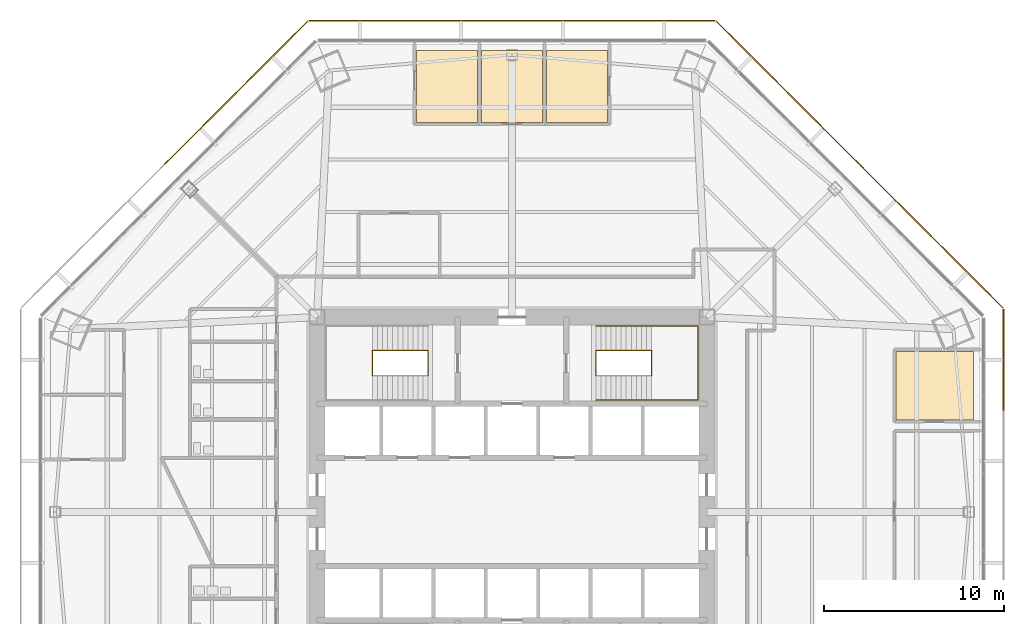
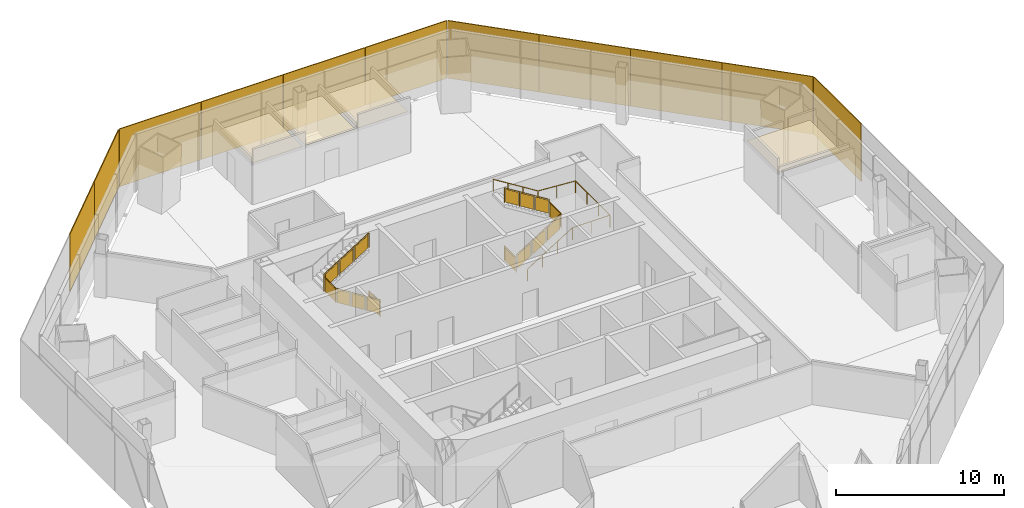
# One storey, part 14 of 15: 11 shading devices, 4 coverings, 3 railings.
"""IFC4 building model written with IfcOpenShell, lengths in metres."""

from ifc_helpers import new_model, si_unit, direction, frame, origin, origin_2d, place, context, subcontext, project, spatial, polyline, rectangle, circle, outline, extrude, source, transform, mapped, material, layer, layer_set, type_object, type_shapes, element, save


model = new_model("IFC4")

# Units and contexts
model_context = context("Model", 3, precision=1e-05, world=origin(), true_north=direction((0.0, 1.0)))
body_context = subcontext(model_context, "Body", "Model", "MODEL_VIEW")
ifc_project = project(units=[si_unit("LENGTHUNIT", "METRE"), si_unit("AREAUNIT", "SQUARE_METRE"), si_unit("VOLUMEUNIT", "CUBIC_METRE"), si_unit("PLANEANGLEUNIT", "RADIAN"), si_unit("MASSUNIT", "GRAM", prefix="KILO")], contexts=[model_context])

# Site, building, storey
site_placement = place(None, origin())
site = spatial("IfcSite", under=ifc_project, at=site_placement, CompositionType="ELEMENT")
building_placement = place(site_placement, origin())
building = spatial("IfcBuilding", under=site, at=building_placement, Name="Mashrafa Tower", CompositionType="ELEMENT")
storey_placement = place(building_placement, frame((0.0, 0.0, 66.60009765625)))
storey = spatial("IfcBuildingStorey", under=building, at=storey_placement, Name="L14", CompositionType="ELEMENT", Elevation=66.60009765625)

# Railings
ifc_material_1 = material(Name="Steel guard with glass infill", Category="steel")
railing_type_1 = type_object("IfcRailingType", Name="Stair guard 1100", PredefinedType="GUARDRAIL", material=ifc_material_1)
railing_1_placement = place(storey_placement, frame((-4.64990234375, 8.949951171875, 0.0)))
element("IfcRailing", 1, at=railing_1_placement, inside=storey, type_object=railing_type_1, Name="Stair S1 guard L14", PredefinedType="GUARDRAIL", context=body_context, shape_type="SweptSolid", body=[
    extrude(circle(Radius=0.02392578125, at=origin_2d()), frame((0.0, 0.0, 1.076171875), z_axis=(0.0, -1.0, 0.0), x_axis=(1.0, 0.0, 0.0)), (0.0, 0.0, 1.0), 1.39990234375),
    extrude(circle(Radius=0.02392578125, at=origin_2d()), frame((0.0, -1.39990234375, 1.076171875), z_axis=(0.0, 0.0, 1.0), x_axis=(1.0, 0.0, 0.0)), (0.0, 0.0, 1.0), 0.1748046875),
    extrude(circle(Radius=0.02392578125, at=origin_2d()), frame((0.0, -1.39990234375, 1.2509765625), z_axis=(-0.847998304005, 0.0, 0.529998940003), x_axis=(0.0, -1.0, 0.0)), (0.0, 0.0, 1.0), 3.632080078125),
    extrude(circle(Radius=0.02392578125, at=origin_2d()), frame((-3.080078125, -1.39990234375, 3.17578125), z_axis=(0.0, 1.0, 0.0), x_axis=(-1.0, 0.0, 0.0)), (0.0, 0.0, 1.0), 1.39990234375),
    extrude(circle(Radius=0.02392578125, at=origin_2d()), frame((-3.080078125, 0.0, 3.17578125), z_axis=(0.0, 0.0, 1.0), x_axis=(1.0, 0.0, 0.0)), (0.0, 0.0, 1.0), 0.175048828125),
    extrude(circle(Radius=0.02392578125, at=origin_2d()), frame((-3.080078125, 0.0, 3.35107421875), z_axis=(0.847998304005, 0.0, 0.529998940003), x_axis=(0.0, 1.0, 0.0)), (0.0, 0.0, 1.0), 3.632080078125),
    extrude(circle(Radius=0.02099609375, at=origin_2d()), origin(), (0.0, 0.0, 1.0), 1.052001953125),
    extrude(circle(Radius=0.02099609375, at=origin_2d()), frame((0.0, -1.39990234375, 0.0)), (0.0, 0.0, 1.0), 1.052001953125),
    extrude(circle(Radius=0.02099609375, at=origin_2d()), frame((0.0, -1.39990234375, 0.1748046875)), (0.0, 0.0, 1.0), 1.052001953125),
    extrude(circle(Radius=0.02099609375, at=origin_2d()), frame((-1.026611328125, -1.39990234375, 0.81640625)), (0.0, 0.0, 1.0), 1.052001953125),
    extrude(circle(Radius=0.02099609375, at=origin_2d()), frame((-2.053466796875, -1.39990234375, 1.458251953125)), (0.0, 0.0, 1.0), 1.052001953125),
    extrude(circle(Radius=0.02099609375, at=origin_2d()), frame((-3.080078125, -1.39990234375, 2.099853515625)), (0.0, 0.0, 1.0), 1.052001953125),
    extrude(circle(Radius=0.02099609375, at=origin_2d()), frame((-3.080078125, 0.0, 2.099853515625)), (0.0, 0.0, 1.0), 1.052001953125),
    extrude(circle(Radius=0.02099609375, at=origin_2d()), frame((-3.080078125, 0.0, 2.27490234375)), (0.0, 0.0, 1.0), 1.052001953125),
    extrude(circle(Radius=0.02099609375, at=origin_2d()), frame((-2.053466796875, 0.0, 2.91650390625)), (0.0, 0.0, 1.0), 1.052001953125),
    extrude(circle(Radius=0.02099609375, at=origin_2d()), frame((-1.026611328125, 0.0, 3.558349609375)), (0.0, 0.0, 1.0), 1.052001953125),
    extrude(circle(Radius=0.02099609375, at=origin_2d()), frame((0.0, 0.0, 4.199951171875)), (0.0, 0.0, 1.0), 1.052001953125),
    extrude(outline(polyline([(0.071044921875, 0.050048828125), (1.328857421875, 0.050048828125), (1.328857421875, 1.001953125), (0.071044921875, 1.001953125), (0.071044921875, 0.050048828125)])), frame((-0.006103515625, 0.0, 0.0), z_axis=(-1.0, 0.0, 0.0), x_axis=(0.0, -1.0, 0.0)), (0.0, 0.0, 1.0), 0.011962890625),
    extrude(outline(polyline([(0.071044921875, 0.094482421875), (0.955810546875, 0.647216796875), (0.955810546875, 1.599365234375), (0.071044921875, 1.04638671875), (0.071044921875, 0.094482421875)])), frame((0.0, -1.393798828125, 0.1748046875), z_axis=(0.0, 1.0, 0.0), x_axis=(-1.0, 0.0, 0.0)), (0.0, 0.0, 1.0), 0.011962890625),
    extrude(outline(polyline([(1.09765625, 0.736083984375), (1.982421875, 1.2890625), (1.982421875, 2.240966796875), (1.09765625, 1.68798828125), (1.09765625, 0.736083984375)])), frame((0.0, -1.393798828125, 0.1748046875), z_axis=(0.0, 1.0, 0.0), x_axis=(-1.0, 0.0, 0.0)), (0.0, 0.0, 1.0), 0.011962890625),
    extrude(outline(polyline([(2.124267578125, 1.377685546875), (3.009033203125, 1.9306640625), (3.009033203125, 2.882568359375), (2.124267578125, 2.329833984375), (2.124267578125, 1.377685546875)])), frame((0.0, -1.393798828125, 0.1748046875), z_axis=(0.0, 1.0, 0.0), x_axis=(-1.0, 0.0, 0.0)), (0.0, 0.0, 1.0), 0.011962890625),
    extrude(outline(polyline([(0.071044921875, 0.050048828125), (1.328857421875, 0.050048828125), (1.328857421875, 1.001953125), (0.071044921875, 1.001953125), (0.071044921875, 0.050048828125)])), frame((-3.073974609375, -1.39990234375, 2.099853515625), z_axis=(1.0, 0.0, 0.0), x_axis=(0.0, 1.0, 0.0)), (0.0, 0.0, 1.0), 0.011962890625),
    extrude(outline(polyline([(0.071044921875, 0.094482421875), (0.955810546875, 0.647216796875), (0.955810546875, 1.599365234375), (0.071044921875, 1.04638671875), (0.071044921875, 0.094482421875)])), frame((-3.080078125, -0.006103515625, 2.27490234375), z_axis=(0.0, -1.0, 0.0), x_axis=(1.0, 0.0, 0.0)), (0.0, 0.0, 1.0), 0.011962890625),
    extrude(outline(polyline([(1.09765625, 0.736083984375), (1.982421875, 1.2890625), (1.982421875, 2.240966796875), (1.09765625, 1.68798828125), (1.09765625, 0.736083984375)])), frame((-3.080078125, -0.006103515625, 2.27490234375), z_axis=(0.0, -1.0, 0.0), x_axis=(1.0, 0.0, 0.0)), (0.0, 0.0, 1.0), 0.011962890625),
    extrude(outline(polyline([(2.124267578125, 1.377685546875), (3.009033203125, 1.9306640625), (3.009033203125, 2.882568359375), (2.124267578125, 2.329833984375), (2.124267578125, 1.377685546875)])), frame((-3.080078125, -0.006103515625, 2.27490234375), z_axis=(0.0, -1.0, 0.0), x_axis=(1.0, 0.0, 0.0)), (0.0, 0.0, 1.0), 0.011962890625),
])
railing_2_placement = place(storey_placement, frame((4.64990234375, 8.949951171875, 0.0)))
element("IfcRailing", 2, at=railing_2_placement, inside=storey, type_object=railing_type_1, Name="Stair S2 guard L14", PredefinedType="GUARDRAIL", context=body_context, shape_type="SweptSolid", body=[
    extrude(circle(Radius=0.02392578125, at=origin_2d()), frame((0.0, 0.0, 1.076171875), z_axis=(0.0, -1.0, 0.0), x_axis=(1.0, 0.0, 0.0)), (0.0, 0.0, 1.0), 1.39990234375),
    extrude(circle(Radius=0.02392578125, at=origin_2d()), frame((0.0, -1.39990234375, 1.076171875), z_axis=(0.0, 0.0, 1.0), x_axis=(1.0, 0.0, 0.0)), (0.0, 0.0, 1.0), 0.1748046875),
    extrude(circle(Radius=0.02392578125, at=origin_2d()), frame((0.0, -1.39990234375, 1.2509765625), z_axis=(0.847998304005, 0.0, 0.529998940003), x_axis=(0.0, 1.0, 0.0)), (0.0, 0.0, 1.0), 3.632080078125),
    extrude(circle(Radius=0.02392578125, at=origin_2d()), frame((3.080078125, -1.39990234375, 3.17578125), z_axis=(0.0, 1.0, 0.0), x_axis=(-1.0, 0.0, 0.0)), (0.0, 0.0, 1.0), 1.39990234375),
    extrude(circle(Radius=0.02392578125, at=origin_2d()), frame((3.080078125, 0.0, 3.17578125), z_axis=(0.0, 0.0, 1.0), x_axis=(1.0, 0.0, 0.0)), (0.0, 0.0, 1.0), 0.175048828125),
    extrude(circle(Radius=0.02392578125, at=origin_2d()), frame((3.080078125, 0.0, 3.35107421875), z_axis=(-0.847998304005, 0.0, 0.529998940003), x_axis=(0.0, -1.0, 0.0)), (0.0, 0.0, 1.0), 3.632080078125),
    extrude(circle(Radius=0.02099609375, at=origin_2d()), origin(), (0.0, 0.0, 1.0), 1.052001953125),
    extrude(circle(Radius=0.02099609375, at=origin_2d()), frame((0.0, -1.39990234375, 0.0)), (0.0, 0.0, 1.0), 1.052001953125),
    extrude(circle(Radius=0.02099609375, at=origin_2d()), frame((0.0, -1.39990234375, 0.1748046875)), (0.0, 0.0, 1.0), 1.052001953125),
    extrude(circle(Radius=0.02099609375, at=origin_2d()), frame((1.026611328125, -1.39990234375, 0.81640625)), (0.0, 0.0, 1.0), 1.052001953125),
    extrude(circle(Radius=0.02099609375, at=origin_2d()), frame((2.053466796875, -1.39990234375, 1.458251953125)), (0.0, 0.0, 1.0), 1.052001953125),
    extrude(circle(Radius=0.02099609375, at=origin_2d()), frame((3.080078125, -1.39990234375, 2.099853515625)), (0.0, 0.0, 1.0), 1.052001953125),
    extrude(circle(Radius=0.02099609375, at=origin_2d()), frame((3.080078125, 0.0, 2.099853515625)), (0.0, 0.0, 1.0), 1.052001953125),
    extrude(circle(Radius=0.02099609375, at=origin_2d()), frame((3.080078125, 0.0, 2.27490234375)), (0.0, 0.0, 1.0), 1.052001953125),
    extrude(circle(Radius=0.02099609375, at=origin_2d()), frame((2.053466796875, 0.0, 2.91650390625)), (0.0, 0.0, 1.0), 1.052001953125),
    extrude(circle(Radius=0.02099609375, at=origin_2d()), frame((1.026611328125, 0.0, 3.558349609375)), (0.0, 0.0, 1.0), 1.052001953125),
    extrude(circle(Radius=0.02099609375, at=origin_2d()), frame((0.0, 0.0, 4.199951171875)), (0.0, 0.0, 1.0), 1.052001953125),
    extrude(outline(polyline([(0.071044921875, 0.050048828125), (1.328857421875, 0.050048828125), (1.328857421875, 1.001953125), (0.071044921875, 1.001953125), (0.071044921875, 0.050048828125)])), frame((-0.006103515625, 0.0, 0.0), z_axis=(-1.0, 0.0, 0.0), x_axis=(0.0, -1.0, 0.0)), (0.0, 0.0, 1.0), 0.011962890625),
    extrude(outline(polyline([(0.071044921875, 0.094482421875), (0.955810546875, 0.647216796875), (0.955810546875, 1.599365234375), (0.071044921875, 1.04638671875), (0.071044921875, 0.094482421875)])), frame((0.0, -1.406005859375, 0.1748046875), z_axis=(0.0, -1.0, 0.0), x_axis=(1.0, 0.0, 0.0)), (0.0, 0.0, 1.0), 0.011962890625),
    extrude(outline(polyline([(1.09765625, 0.736083984375), (1.982421875, 1.2890625), (1.982421875, 2.240966796875), (1.09765625, 1.68798828125), (1.09765625, 0.736083984375)])), frame((0.0, -1.406005859375, 0.1748046875), z_axis=(0.0, -1.0, 0.0), x_axis=(1.0, 0.0, 0.0)), (0.0, 0.0, 1.0), 0.011962890625),
    extrude(outline(polyline([(2.124267578125, 1.377685546875), (3.009033203125, 1.9306640625), (3.009033203125, 2.882568359375), (2.124267578125, 2.329833984375), (2.124267578125, 1.377685546875)])), frame((0.0, -1.406005859375, 0.1748046875), z_axis=(0.0, -1.0, 0.0), x_axis=(1.0, 0.0, 0.0)), (0.0, 0.0, 1.0), 0.011962890625),
    extrude(outline(polyline([(0.071044921875, 0.050048828125), (1.328857421875, 0.050048828125), (1.328857421875, 1.001953125), (0.071044921875, 1.001953125), (0.071044921875, 0.050048828125)])), frame((3.086181640625, -1.39990234375, 2.099853515625), z_axis=(1.0, 0.0, 0.0), x_axis=(0.0, 1.0, 0.0)), (0.0, 0.0, 1.0), 0.011962890625),
    extrude(outline(polyline([(0.071044921875, 0.094482421875), (0.955810546875, 0.647216796875), (0.955810546875, 1.599365234375), (0.071044921875, 1.04638671875), (0.071044921875, 0.094482421875)])), frame((3.080078125, 0.006103515625, 2.27490234375), z_axis=(0.0, 1.0, 0.0), x_axis=(-1.0, 0.0, 0.0)), (0.0, 0.0, 1.0), 0.011962890625),
    extrude(outline(polyline([(1.09765625, 0.736083984375), (1.982421875, 1.2890625), (1.982421875, 2.240966796875), (1.09765625, 1.68798828125), (1.09765625, 0.736083984375)])), frame((3.080078125, 0.006103515625, 2.27490234375), z_axis=(0.0, 1.0, 0.0), x_axis=(-1.0, 0.0, 0.0)), (0.0, 0.0, 1.0), 0.011962890625),
    extrude(outline(polyline([(2.124267578125, 1.377685546875), (3.009033203125, 1.9306640625), (3.009033203125, 2.882568359375), (2.124267578125, 2.329833984375), (2.124267578125, 1.377685546875)])), frame((3.080078125, 0.006103515625, 2.27490234375), z_axis=(0.0, 1.0, 0.0), x_axis=(-1.0, 0.0, 0.0)), (0.0, 0.0, 1.0), 0.011962890625),
])
ifc_material_2 = material(Name="Steel", Category="steel")
railing_type_2 = type_object("IfcRailingType", Name="Stair handrail 900", PredefinedType="HANDRAIL", material=ifc_material_2)
railing_3_placement = place(storey_placement, frame((4.64990234375, 6.199951171875, 0.1748046875)))
element("IfcRailing", 3, at=railing_3_placement, inside=storey, type_object=railing_type_2, Name="Stair S2 handrail L14", PredefinedType="HANDRAIL", context=body_context, shape_type="SweptSolid", body=[
    extrude(circle(Radius=0.02392578125, at=origin_2d()), frame((0.0, 0.0, 0.8759765625), z_axis=(0.847998304005, 0.0, 0.529998940003), x_axis=(0.0, 1.0, 0.0)), (0.0, 0.0, 1.0), 3.632080078125),
    extrude(circle(Radius=0.02392578125, at=origin_2d()), frame((3.080078125, 0.0, 2.80078125), z_axis=(1.0, 0.0, 0.0), x_axis=(0.0, 1.0, 0.0)), (0.0, 0.0, 1.0), 2.570068359375),
    extrude(circle(Radius=0.02392578125, at=origin_2d()), frame((5.650146484375, 0.0, 2.80078125), z_axis=(0.0, 1.0, 0.0), x_axis=(-1.0, 0.0, 0.0)), (0.0, 0.0, 1.0), 4.10009765625),
    extrude(circle(Radius=0.02392578125, at=origin_2d()), frame((5.650146484375, 4.10009765625, 2.80078125), z_axis=(-0.997688514158, 0.0, 0.067953136188), x_axis=(0.0, -1.0, 0.0)), (0.0, 0.0, 1.0), 2.575927734375),
    extrude(circle(Radius=0.02392578125, at=origin_2d()), frame((3.080078125, 4.10009765625, 2.97607421875), z_axis=(-0.847998304005, 0.0, 0.529998940003), x_axis=(0.0, -1.0, 0.0)), (0.0, 0.0, 1.0), 3.632080078125),
    extrude(circle(Radius=0.02099609375, at=origin_2d()), origin(), (0.0, 0.0, 1.0), 0.851806640625),
    extrude(circle(Radius=0.02099609375, at=origin_2d()), frame((1.026611328125, 0.0, 0.6416015625)), (0.0, 0.0, 1.0), 0.851806640625),
    extrude(circle(Radius=0.02099609375, at=origin_2d()), frame((2.053466796875, 0.0, 1.283447265625)), (0.0, 0.0, 1.0), 0.851806640625),
    extrude(circle(Radius=0.02099609375, at=origin_2d()), frame((3.080078125, 0.0, 1.925048828125)), (0.0, 0.0, 1.0), 0.851806640625),
    extrude(circle(Radius=0.02099609375, at=origin_2d()), frame((4.365234375, 0.0, 1.925048828125)), (0.0, 0.0, 1.0), 0.851806640625),
    extrude(circle(Radius=0.02099609375, at=origin_2d()), frame((5.650146484375, 0.0, 1.925048828125)), (0.0, 0.0, 1.0), 0.851806640625),
    extrude(circle(Radius=0.02099609375, at=origin_2d()), frame((5.650146484375, 1.36669921875, 1.925048828125)), (0.0, 0.0, 1.0), 0.851806640625),
    extrude(circle(Radius=0.02099609375, at=origin_2d()), frame((5.650146484375, 2.7333984375, 1.925048828125)), (0.0, 0.0, 1.0), 0.851806640625),
    extrude(circle(Radius=0.02099609375, at=origin_2d()), frame((5.650146484375, 4.10009765625, 1.925048828125)), (0.0, 0.0, 1.0), 0.851806640625),
    extrude(circle(Radius=0.02099609375, at=origin_2d()), frame((4.365234375, 4.10009765625, 2.0126953125)), (0.0, 0.0, 1.0), 0.851806640625),
    extrude(circle(Radius=0.02099609375, at=origin_2d()), frame((3.080078125, 4.10009765625, 2.10009765625)), (0.0, 0.0, 1.0), 0.851806640625),
    extrude(circle(Radius=0.02099609375, at=origin_2d()), frame((2.053466796875, 4.10009765625, 2.74169921875)), (0.0, 0.0, 1.0), 0.851806640625),
    extrude(circle(Radius=0.02099609375, at=origin_2d()), frame((1.026611328125, 4.10009765625, 3.383544921875)), (0.0, 0.0, 1.0), 0.851806640625),
    extrude(circle(Radius=0.02099609375, at=origin_2d()), frame((0.0, 4.10009765625, 4.025146484375)), (0.0, 0.0, 1.0), 0.851806640625),
])

# Coverings
ifc_material_3 = material(Name="Mineral fibre tile on suspension grid")
ifc_layer_1 = layer(ifc_material_3, 0.014892578125)
ifc_layer_set_1 = layer_set([ifc_layer_1], Name="Suspended ceiling mineral tile 15")
covering_type = type_object("IfcCoveringType", Name="Suspended ceiling mineral tile 15", PredefinedType="CEILING", material=ifc_layer_set_1)
covering_1_placement = place(storey_placement, frame((0.0, 0.0, 2.89990234375)))
element("IfcCovering", 4, at=covering_1_placement, inside=storey, type_object=covering_type, Name="Ceiling Office 14-A-1", PredefinedType="CEILING", context=body_context, shape_type="SweptSolid", body=[
    extrude(outline(polyline([(1.89990234375, 25.580810546875), (5.300048828125, 25.580810546875), (5.300048828125, 21.580810546875), (1.89990234375, 21.580810546875), (1.89990234375, 25.580810546875)])), origin(), (0.0, 0.0, 1.0), 0.014892578125),
])
covering_2_placement = place(storey_placement, frame((0.0, 0.0, 2.89990234375)))
element("IfcCovering", 5, at=covering_2_placement, inside=storey, type_object=covering_type, Name="Ceiling Office 14-A-2", PredefinedType="CEILING", context=body_context, shape_type="SweptSolid", body=[
    extrude(outline(polyline([(-1.699951171875, 25.580810546875), (1.699951171875, 25.580810546875), (1.699951171875, 21.580810546875), (-1.699951171875, 21.580810546875), (-1.699951171875, 25.580810546875)])), origin(), (0.0, 0.0, 1.0), 0.014892578125),
])
covering_3_placement = place(storey_placement, frame((0.0, 0.0, 2.89990234375)))
element("IfcCovering", 6, at=covering_3_placement, inside=storey, type_object=covering_type, Name="Ceiling Office 14-A-3", PredefinedType="CEILING", context=body_context, shape_type="SweptSolid", body=[
    extrude(outline(polyline([(-5.300048828125, 25.580810546875), (-1.89990234375, 25.580810546875), (-1.89990234375, 21.580810546875), (-5.300048828125, 21.580810546875), (-5.300048828125, 25.580810546875)])), origin(), (0.0, 0.0, 1.0), 0.014892578125),
])
covering_4_placement = place(storey_placement, frame((0.0, 0.0, 2.89990234375)))
element("IfcCovering", 7, at=covering_4_placement, inside=storey, type_object=covering_type, Name="Ceiling Project Meeting Room 14-A1", PredefinedType="CEILING", context=body_context, shape_type="SweptSolid", body=[
    extrude(outline(polyline([(21.28076171875, 8.89990234375), (25.580810546875, 8.89990234375), (25.580810546875, 5.10009765625), (21.28076171875, 5.10009765625), (21.28076171875, 8.89990234375)])), origin(), (0.0, 0.0, 1.0), 0.014892578125),
])

# Shading devices
ifc_material_4 = material(Name="Perforated aluminium plate, eight-point star pattern", Category="aluminium")
ifc_layer_2 = layer(ifc_material_4, 0.06005859375)
ifc_layer_set_2 = layer_set([ifc_layer_2], Name="Mashrabiya screen panel office zone 1, 45 percent open")
shading_device_type = type_object("IfcShadingDeviceType", Name="Mashrabiya screen panel office zone 1, 45 percent open", PredefinedType="SHUTTER", material=ifc_layer_set_2)
shared_shape = source(origin(), body_context, "Body", "SweptSolid", [
    extrude(rectangle(XDim=5.6083984375, YDim=0.06005859375, at=origin_2d()), origin(), (0.0, 0.0, 1.0), 4.179931640625),
])
type_shapes(shading_device_type, [shared_shape])
for number, where, z_axis, x_axis, name in (
    (8, (27.230712890625, 8.442626953125, -0.14990234375), (0.0, 0.0, 1.0), (0.0, 1.0, 0.0), "Mashrabiya screen L14 east 4"),
    (9, (25.224853515625, 13.28515625, -0.14990234375), (0.0, 0.0, 1.0), (-0.707106781187, 0.707106781187, 0.0), "Mashrabiya screen L14 north-east 1"),
    (10, (21.244873046875, 17.26513671875, -0.14990234375), (0.0, 0.0, 1.0), (-0.707106781187, 0.707106781187, 0.0), "Mashrabiya screen L14 north-east 2"),
    (11, (17.26513671875, 21.244873046875, -0.14990234375), (0.0, 0.0, 1.0), (-0.707106781187, 0.707106781187, 0.0), "Mashrabiya screen L14 north-east 3"),
    (12, (13.28515625, 25.224853515625, -0.14990234375), (0.0, 0.0, 1.0), (-0.707106781187, 0.707106781187, 0.0), "Mashrabiya screen L14 north-east 4"),
    (13, (8.442626953125, 27.230712890625, -0.14990234375), (0.0, 0.0, 1.0), (-1.0, 0.0, 0.0), "Mashrabiya screen L14 north 1"),
    (14, (2.814208984375, 27.230712890625, -0.14990234375), (0.0, 0.0, 1.0), (-1.0, 0.0, 0.0), "Mashrabiya screen L14 north 2"),
    (15, (-2.814208984375, 27.230712890625, -0.14990234375), (0.0, 0.0, 1.0), (-1.0, 0.0, 0.0), "Mashrabiya screen L14 north 3"),
    (16, (-8.442626953125, 27.230712890625, -0.14990234375), (0.0, 0.0, 1.0), (-1.0, 0.0, 0.0), "Mashrabiya screen L14 north 4"),
    (17, (-13.28515625, 25.224853515625, -0.14990234375), (0.0, 0.0, 1.0), (-0.707106781187, -0.707106781187, 0.0), "Mashrabiya screen L14 north-west 1"),
    (18, (-17.26513671875, 21.244873046875, -0.14990234375), (0.0, 0.0, 1.0), (-0.707106781187, -0.707106781187, 0.0), "Mashrabiya screen L14 north-west 2"),
):
    element("IfcShadingDevice", number, at=place(storey_placement, frame(where, z_axis=z_axis, x_axis=x_axis)), inside=storey, type_object=shading_device_type, Name=name, PredefinedType="SHUTTER", context=body_context, shape_type="MappedRepresentation", body=[
        mapped(shared_shape, transform((0.0, 0.0, 0.0))),
    ])

save(model, "model.ifc")
